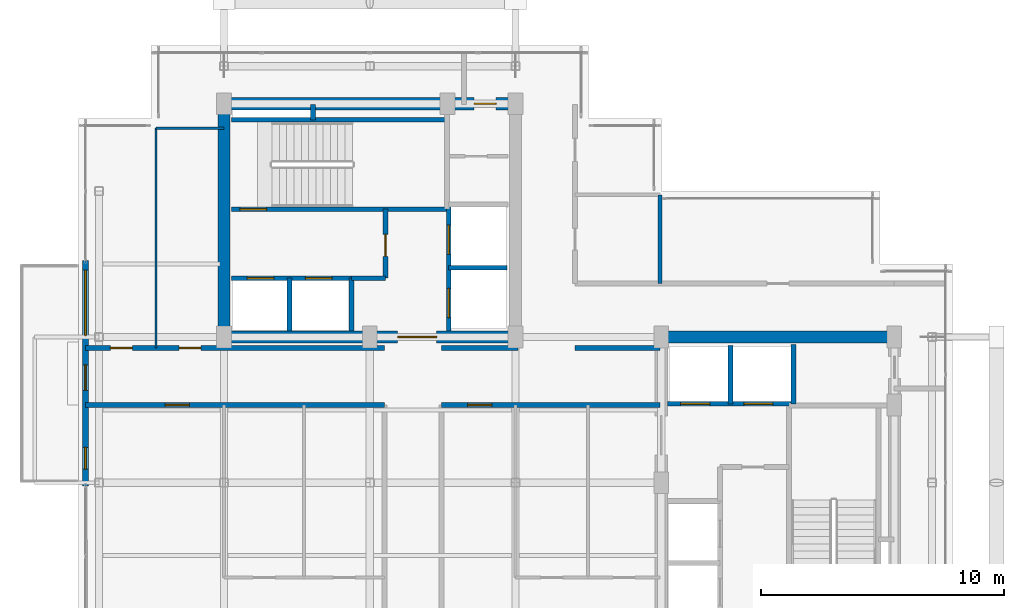
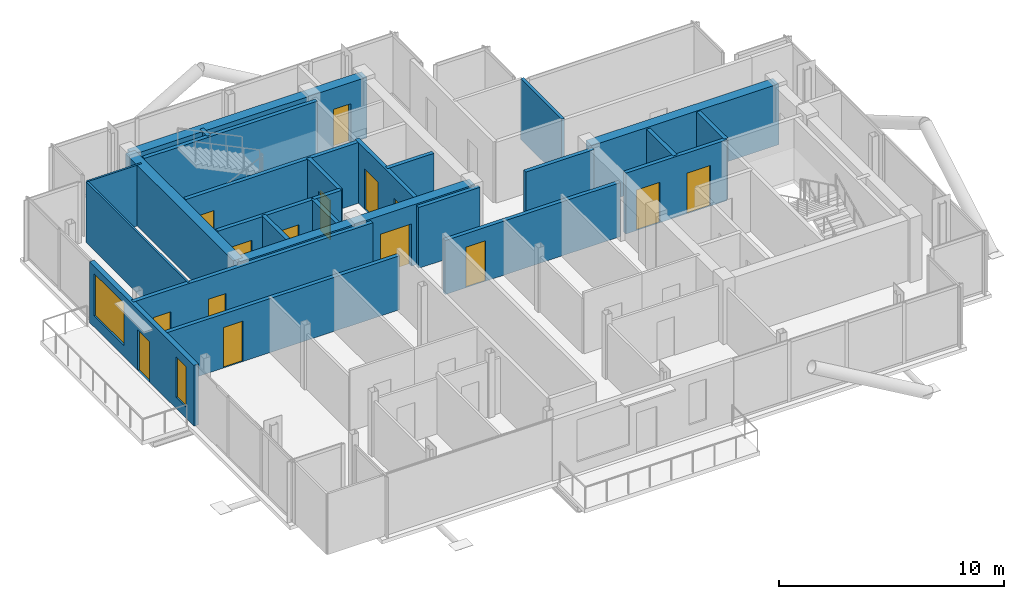
# One storey, part 15 of 18: 26 walls, 15 doors, 2 windows, 17 openings.
"""IFC4 building model written with IfcOpenShell, lengths in metres."""

from ifc_helpers import new_model, si_unit, direction, frame, frame_2d, origin, place, context, subcontext, project, spatial, rectangle, extrude, material, layer, layer_set, type_object, element, fill, save


model = new_model("IFC4")

# Units and contexts
model_context = context("Model", 3, precision=1e-05, world=origin(), true_north=direction((0.0, 1.0)))
body_context = subcontext(model_context, "Body", "Model", "MODEL_VIEW")
ifc_project = project(units=[si_unit("LENGTHUNIT", "METRE"), si_unit("AREAUNIT", "SQUARE_METRE"), si_unit("VOLUMEUNIT", "CUBIC_METRE"), si_unit("PLANEANGLEUNIT", "RADIAN"), si_unit("MASSUNIT", "GRAM", prefix="KILO"), si_unit("THERMODYNAMICTEMPERATUREUNIT", "KELVIN"), si_unit("POWERUNIT", "WATT")], contexts=[model_context])

# Site, building, storey
site_placement = place(None, origin())
site = spatial("IfcSite", under=ifc_project, at=site_placement, CompositionType="ELEMENT")
building_placement = place(site_placement, origin())
building = spatial("IfcBuilding", under=site, at=building_placement, Name="Svarakhadi Broadcast Tower", CompositionType="ELEMENT")
storey_placement = place(building_placement, frame((0.0, 0.0, 250.199951171875)))
storey = spatial("IfcBuildingStorey", under=building, at=storey_placement, Name="L62", CompositionType="ELEMENT", Elevation=250.199951171875)

# Wall, openings, door, windows
ifc_material_1 = material(Name="Concrete C40/50 (IS 456 M50)", Category="concrete")
ifc_layer_1 = layer(ifc_material_1, 0.239990234375)
ifc_layer_set_1 = layer_set([ifc_layer_1], Name="Concrete C40/50 (IS 456 M50)")
wall_type_1 = type_object("IfcWallType", Name="Wall_Ext_240", PredefinedType="SOLIDWALL", material=ifc_layer_set_1)
wall_1_placement = place(storey_placement, frame((0.300048828125, 11.85498046875, 0.0), z_axis=(0.0, 0.0, 1.0), x_axis=(0.0, 1.0, 0.0)))
wall_1 = element("IfcWall", 1, at=wall_1_placement, inside=storey, type_object=wall_type_1, Name="L62 West Tree Balcony Spandrel Wall", PredefinedType="SOLIDWALL", context=body_context, shape_type="SweptSolid", body=[
    extrude(rectangle(XDim=9.2900390625, YDim=0.239990234375, at=frame_2d((4.64501953125, 0.0))), origin(), (0.0, 0.0, 1.0), 3.300048828125),
])
opening_1_placement = place(wall_1_placement, frame((3.945068359375, 0.0, 0.0)))
opening_1 = element("IfcOpeningElement", 2, at=opening_1_placement, cuts=wall_1, Name="Opening ED-05", PredefinedType="OPENING", context=body_context, shape_type="SweptSolid", body=[
    extrude(rectangle(XDim=1.050048828125, YDim=2.199951171875, at=frame_2d((0.52490234375, 1.10009765625))), frame((0.0, 0.1298828125, 0.0), z_axis=(0.0, -1.0, 0.0), x_axis=(1.0, 0.0, 0.0)), (0.0, 0.0, 1.0), 0.260009765625),
])
opening_2_placement = place(wall_1_placement, frame((6.199951171875, 0.0, 0.60009765625)))
opening_2 = element("IfcOpeningElement", 3, at=opening_2_placement, cuts=wall_1, Name="Opening WN-07", PredefinedType="OPENING", context=body_context, shape_type="SweptSolid", body=[
    extrude(rectangle(XDim=2.699951171875, YDim=2.300048828125, at=frame_2d((1.35009765625, 1.14990234375))), frame((0.0, 0.1298828125, 0.0), z_axis=(0.0, -1.0, 0.0), x_axis=(1.0, 0.0, 0.0)), (0.0, 0.0, 1.0), 0.260009765625),
])
opening_3_placement = place(wall_1_placement, frame((0.699951171875, 0.0, 0.60009765625)))
opening_3 = element("IfcOpeningElement", 4, at=opening_3_placement, cuts=wall_1, Name="Opening WN-04", PredefinedType="OPENING", context=body_context, shape_type="SweptSolid", body=[
    extrude(rectangle(XDim=0.89990234375, YDim=2.199951171875, at=frame_2d((0.449951171875, 1.10009765625))), frame((0.0, 0.1298828125, 0.0), z_axis=(0.0, -1.0, 0.0), x_axis=(1.0, 0.0, 0.0)), (0.0, 0.0, 1.0), 0.260009765625),
])
ifc_material_2 = material(Name="Anodised Bronze Aluminium AA 6063-T6", Category="aluminium")
door_type_1 = type_object("IfcDoorType", Name="Door_Ext_ED05", OperationType="SINGLE_SWING_LEFT", PredefinedType="DOOR", material=ifc_material_2)
door_1_placement = place(opening_1_placement, origin())
door_1 = element("IfcDoor", 5, at=door_1_placement, inside=storey, type_object=door_type_1, Name="L62 West Tree Balcony Door", OperationType="SINGLE_SWING_LEFT", OverallHeight=2.199951171875, OverallWidth=1.050048828125, PredefinedType="DOOR", context=body_context, shape_type="SweptSolid", body=[
    extrude(rectangle(XDim=1.050048828125, YDim=2.199951171875, at=frame_2d((0.52490234375, 1.10009765625))), frame((0.0, 0.02490234375, 0.0), z_axis=(0.0, -1.0, 0.0), x_axis=(1.0, 0.0, 0.0)), (0.0, 0.0, 1.0), 0.050048828125),
])
fill(opening_1, door_1)
ifc_material_3 = material(Name="Double Low-E Laminated Acoustic Glass IGU 36 mm", Category="glass")
window_type_1 = type_object("IfcWindowType", Name="Win_Resi_WN07", PartitioningType="SINGLE_PANEL", PredefinedType="WINDOW", material=ifc_material_3)
window_1_placement = place(opening_2_placement, origin())
window_1 = element("IfcWindow", 6, at=window_1_placement, inside=storey, type_object=window_type_1, Name="L62 West Tree Balcony Window", OverallHeight=2.300048828125, OverallWidth=2.699951171875, PartitioningType="SINGLE_PANEL", PredefinedType="WINDOW", context=body_context, shape_type="SweptSolid", body=[
    extrude(rectangle(XDim=2.699951171875, YDim=2.300048828125, at=frame_2d((1.35009765625, 1.14990234375))), frame((0.0, 0.030029296875, 0.0), z_axis=(0.0, -1.0, 0.0), x_axis=(1.0, 0.0, 0.0)), (0.0, 0.0, 1.0), 0.06005859375),
])
fill(opening_2, window_1)
window_type_2 = type_object("IfcWindowType", Name="Win_Slot_WN04", PartitioningType="SINGLE_PANEL", PredefinedType="WINDOW", material=ifc_material_3)
window_2_placement = place(opening_3_placement, origin())
window_2 = element("IfcWindow", 7, at=window_2_placement, inside=storey, type_object=window_type_2, Name="L62 West Secondary Bedroom Slot Window", OverallHeight=2.199951171875, OverallWidth=0.89990234375, PartitioningType="SINGLE_PANEL", PredefinedType="WINDOW", context=body_context, shape_type="SweptSolid", body=[
    extrude(rectangle(XDim=0.89990234375, YDim=2.199951171875, at=frame_2d((0.449951171875, 1.10009765625))), frame((0.0, 0.030029296875, 0.0), z_axis=(0.0, -1.0, 0.0), x_axis=(1.0, 0.0, 0.0)), (0.0, 0.0, 1.0), 0.06005859375),
])
fill(opening_3, window_2)

# Wall
ifc_layer_2 = layer(ifc_material_1, 0.199951171875)
ifc_layer_set_2 = layer_set([ifc_layer_2], Name="Concrete C40/50 (IS 456 M50)")
wall_type_2 = type_object("IfcWallType", Name="Wall_Fire_200", PredefinedType="SOLIDWALL", material=ifc_layer_set_2)
wall_2_placement = place(storey_placement, frame((9.659912109375, 26.93994140625, 0.0), z_axis=(0.0, 0.0, 1.0), x_axis=(0.0, 1.0, 0.0)))
element("IfcWall", 8, at=wall_2_placement, inside=storey, type_object=wall_type_2, Name="L62 Wet Riser Shaft East Wall", PredefinedType="SOLIDWALL", context=body_context, shape_type="SweptSolid", body=[
    extrude(rectangle(XDim=0.64013671875, YDim=0.199951171875, at=frame_2d((0.320068359375, 0.0))), origin(), (0.0, 0.0, 1.0), 3.300048828125),
])

# Wall, opening, door
wall_3_placement = place(storey_placement, frame((12.60009765625, 15.199951171875, 0.0), z_axis=(0.0, 0.0, 1.0), x_axis=(-1.0, 0.0, 0.0)))
wall_3 = element("IfcWall", 9, at=wall_3_placement, inside=storey, type_object=wall_type_2, Name="L62 Upper Tower Concourse Wall", PredefinedType="SOLIDWALL", context=body_context, shape_type="SweptSolid", body=[
    extrude(rectangle(XDim=12.300048828125, YDim=0.199951171875, at=frame_2d((6.14990234375, 0.0))), origin(), (0.0, 0.0, 1.0), 2.93212890625),
])
opening_4_placement = place(wall_3_placement, frame((8.02490234375, 0.0, 0.0)))
opening_4 = element("IfcOpeningElement", 10, at=opening_4_placement, cuts=wall_3, Name="Opening D-09", PredefinedType="OPENING", context=body_context, shape_type="SweptSolid", body=[
    extrude(rectangle(XDim=1.0, YDim=2.199951171875, at=frame_2d((0.5, 1.10009765625))), frame((0.0, 0.10986328125, 0.0), z_axis=(0.0, -1.0, 0.0), x_axis=(1.0, 0.0, 0.0)), (0.0, 0.0, 1.0), 0.219970703125),
])
ifc_material_4 = material(Name="Solid-Core Teak Veneer Acoustic Timber Leaf", Category="wood")
door_type_2 = type_object("IfcDoorType", Name="Door_Suite_D09", OperationType="SINGLE_SWING_RIGHT", PredefinedType="DOOR", material=ifc_material_4)
door_2_placement = place(opening_4_placement, origin())
door_2 = element("IfcDoor", 11, at=door_2_placement, inside=storey, type_object=door_type_2, Name="L62 Apartment A Entrance Door", OperationType="SINGLE_SWING_RIGHT", OverallHeight=2.199951171875, OverallWidth=1.0, PredefinedType="DOOR", context=body_context, shape_type="SweptSolid", body=[
    extrude(rectangle(XDim=1.0, YDim=2.199951171875, at=frame_2d((0.5, 1.10009765625))), frame((0.0, 0.02490234375, 0.0), z_axis=(0.0, -1.0, 0.0), x_axis=(1.0, 0.0, 0.0)), (0.0, 0.0, 1.0), 0.050048828125),
])
fill(opening_4, door_2)

# Wall, openings, doors
wall_4_placement = place(storey_placement, frame((0.300048828125, 17.550048828125, 0.0), z_axis=(0.0, 0.0, 1.0), x_axis=(1.0, 0.0, 0.0)))
wall_4 = element("IfcWall", 12, at=wall_4_placement, inside=storey, type_object=wall_type_2, Name="L62 Upper Tower Concourse Wall", PredefinedType="SOLIDWALL", context=body_context, shape_type="SweptSolid", body=[
    extrude(rectangle(XDim=12.300048828125, YDim=0.199951171875, at=frame_2d((6.14990234375, 0.0))), origin(), (0.0, 0.0, 1.0), 3.300048828125),
])
opening_5_placement = place(wall_4_placement, frame((1.02490234375, 0.0, 0.0)))
opening_5 = element("IfcOpeningElement", 13, at=opening_5_placement, cuts=wall_4, Name="Opening D-15", PredefinedType="OPENING", context=body_context, shape_type="SweptSolid", body=[
    extrude(rectangle(XDim=0.89990234375, YDim=2.10009765625, at=frame_2d((0.449951171875, 1.050048828125))), frame((0.0, 0.10986328125, 0.0), z_axis=(0.0, -1.0, 0.0), x_axis=(1.0, 0.0, 0.0)), (0.0, 0.0, 1.0), 0.219970703125),
])
opening_6_placement = place(wall_4_placement, frame((3.85009765625, 0.0, 0.0)))
opening_6 = element("IfcOpeningElement", 14, at=opening_6_placement, cuts=wall_4, Name="Opening D-14", PredefinedType="OPENING", context=body_context, shape_type="SweptSolid", body=[
    extrude(rectangle(XDim=0.89990234375, YDim=2.10009765625, at=frame_2d((0.449951171875, 1.050048828125))), frame((0.0, 0.10986328125, 0.0), z_axis=(0.0, -1.0, 0.0), x_axis=(1.0, 0.0, 0.0)), (0.0, 0.0, 1.0), 0.219970703125),
])
door_type_3 = type_object("IfcDoorType", Name="Door_Int_D14", OperationType="SINGLE_SWING_LEFT", PredefinedType="DOOR", material=ifc_material_4)
door_3_placement = place(opening_6_placement, origin())
door_3 = element("IfcDoor", 15, at=door_3_placement, inside=storey, type_object=door_type_3, Name="L62 Residents Catering Kitchen Door", OperationType="SINGLE_SWING_LEFT", OverallHeight=2.10009765625, OverallWidth=0.89990234375, PredefinedType="DOOR", context=body_context, shape_type="SweptSolid", body=[
    extrude(rectangle(XDim=0.89990234375, YDim=2.10009765625, at=frame_2d((0.449951171875, 1.050048828125))), frame((0.0, 0.02490234375, 0.0), z_axis=(0.0, -1.0, 0.0), x_axis=(1.0, 0.0, 0.0)), (0.0, 0.0, 1.0), 0.050048828125),
])
fill(opening_6, door_3)
door_type_4 = type_object("IfcDoorType", Name="Door_Int_D15", OperationType="SINGLE_SWING_RIGHT", PredefinedType="DOOR", material=ifc_material_4)
door_4_placement = place(opening_5_placement, origin())
door_4 = element("IfcDoor", 16, at=door_4_placement, inside=storey, type_object=door_type_4, Name="L62 Residents Private Dining Salon Door", OperationType="SINGLE_SWING_RIGHT", OverallHeight=2.10009765625, OverallWidth=0.89990234375, PredefinedType="DOOR", context=body_context, shape_type="SweptSolid", body=[
    extrude(rectangle(XDim=0.89990234375, YDim=2.10009765625, at=frame_2d((0.449951171875, 1.050048828125))), frame((0.0, 0.02490234375, 0.0), z_axis=(0.0, -1.0, 0.0), x_axis=(1.0, 0.0, 0.0)), (0.0, 0.0, 1.0), 0.050048828125),
])
fill(opening_5, door_4)

# Walls
wall_5_placement = place(storey_placement, frame((14.949951171875, 17.550048828125, 0.0), z_axis=(0.0, 0.0, 1.0), x_axis=(1.0, 0.0, 0.0)))
element("IfcWall", 17, at=wall_5_placement, inside=storey, type_object=wall_type_2, Name="L62 Upper Tower Concourse Wall", PredefinedType="SOLIDWALL", context=body_context, shape_type="SweptSolid", body=[
    extrude(rectangle(XDim=3.150146484375, YDim=0.199951171875, at=frame_2d((1.5751953125, 0.0))), origin(), (0.0, 0.0, 1.0), 3.300048828125),
])
wall_6_placement = place(storey_placement, frame((20.449951171875, 17.550048828125, 0.0), z_axis=(0.0, 0.0, 1.0), x_axis=(1.0, 0.0, 0.0)))
element("IfcWall", 18, at=wall_6_placement, inside=storey, type_object=wall_type_2, Name="L62 Upper Tower Concourse Wall", PredefinedType="SOLIDWALL", context=body_context, shape_type="SweptSolid", body=[
    extrude(rectangle(XDim=3.5, YDim=0.199951171875, at=frame_2d((1.75, 0.0))), origin(), (0.0, 0.0, 1.0), 3.300048828125),
])

# Wall, opening, door
wall_7_placement = place(storey_placement, frame((23.949951171875, 15.199951171875, 0.0), z_axis=(0.0, 0.0, 1.0), x_axis=(-1.0, 0.0, 0.0)))
wall_7 = element("IfcWall", 19, at=wall_7_placement, inside=storey, type_object=wall_type_2, Name="L62 Upper Tower Concourse Wall", PredefinedType="SOLIDWALL", context=body_context, shape_type="SweptSolid", body=[
    extrude(rectangle(XDim=9.0, YDim=0.199951171875, at=frame_2d((4.5, 0.0))), origin(), (0.0, 0.0, 1.0), 2.93212890625),
])
opening_7_placement = place(wall_7_placement, frame((6.925048828125, 0.0, 0.0)))
opening_7 = element("IfcOpeningElement", 20, at=opening_7_placement, cuts=wall_7, Name="Opening D-09", PredefinedType="OPENING", context=body_context, shape_type="SweptSolid", body=[
    extrude(rectangle(XDim=1.0, YDim=2.199951171875, at=frame_2d((0.5, 1.10009765625))), frame((0.0, 0.10986328125, 0.0), z_axis=(0.0, -1.0, 0.0), x_axis=(1.0, 0.0, 0.0)), (0.0, 0.0, 1.0), 0.219970703125),
])
door_5_placement = place(opening_7_placement, origin())
door_5 = element("IfcDoor", 21, at=door_5_placement, inside=storey, type_object=door_type_2, Name="L62 Apartment B Entrance Door", OperationType="SINGLE_SWING_RIGHT", OverallHeight=2.199951171875, OverallWidth=1.0, PredefinedType="DOOR", context=body_context, shape_type="SweptSolid", body=[
    extrude(rectangle(XDim=1.0, YDim=2.199951171875, at=frame_2d((0.5, 1.10009765625))), frame((0.0, 0.02490234375, 0.0), z_axis=(0.0, -1.0, 0.0), x_axis=(1.0, 0.0, 0.0)), (0.0, 0.0, 1.0), 0.050048828125),
])
fill(opening_7, door_5)

# Walls
ifc_material_5 = material(Name="Fire-Rated Moisture-Resistant Gypsum Board Partition", Category="gypsum")
ifc_layer_3 = layer(ifc_material_5, 0.10009765625)
ifc_layer_set_3 = layer_set([ifc_layer_3], Name="Fire-Rated Moisture-Resistant Gypsum Board Partition")
wall_type_3 = type_object("IfcWallType", Name="Wall_Part_100", PredefinedType="PARTITIONING", material=ifc_layer_set_3)
wall_8_placement = place(storey_placement, frame((3.199951171875, 17.550048828125, 0.0), z_axis=(0.0, 0.0, 1.0), x_axis=(0.0, 1.0, 0.0)))
element("IfcWall", 22, at=wall_8_placement, inside=storey, type_object=wall_type_3, Name="L62 Residents Private Dining Salon Wall", PredefinedType="PARTITIONING", context=body_context, shape_type="SweptSolid", body=[
    extrude(rectangle(XDim=9.050048828125, YDim=0.10009765625, at=frame_2d((4.52490234375, 0.0))), origin(), (0.0, 0.0, 1.0), 3.300048828125),
])
wall_9_placement = place(storey_placement, frame((3.199951171875, 26.60009765625, 0.0), z_axis=(0.0, 0.0, 1.0), x_axis=(1.0, 0.0, 0.0)))
element("IfcWall", 23, at=wall_9_placement, inside=storey, type_object=wall_type_3, Name="L62 Residents Catering Kitchen Wall", PredefinedType="PARTITIONING", context=body_context, shape_type="SweptSolid", body=[
    extrude(rectangle(XDim=2.800048828125, YDim=0.10009765625, at=frame_2d((1.39990234375, 0.0))), origin(), (0.0, 0.0, 1.0), 3.300048828125),
])
ifc_material_6 = material(Name="Autoclaved Aerated Concrete Blockwork 150 mm", Category="masonry")
ifc_layer_4 = layer(ifc_material_6, 0.14990234375)
ifc_layer_set_4 = layer_set([ifc_layer_4], Name="Autoclaved Aerated Concrete Blockwork 150 mm")
wall_type_4 = type_object("IfcWallType", Name="Wall_Part_150", PredefinedType="PARTITIONING", material=ifc_layer_set_4)
wall_10_placement = place(storey_placement, frame((23.949951171875, 20.199951171875, 0.0), z_axis=(0.0, 0.0, 1.0), x_axis=(0.0, 1.0, 0.0)))
element("IfcWall", 24, at=wall_10_placement, inside=storey, type_object=wall_type_4, Name="L62 Accessible Visitor Washroom WC Wall", PredefinedType="PARTITIONING", context=body_context, shape_type="SweptSolid", body=[
    extrude(rectangle(XDim=3.650146484375, YDim=0.14990234375, at=frame_2d((1.8251953125, 0.0))), origin(), (0.0, 0.0, 1.0), 3.300048828125),
])

# Wall, opening, door
ifc_material_7 = material(Name="Concrete C50/60 (IS 456 M60)", Category="concrete")
ifc_layer_5 = layer(ifc_material_7, 0.199951171875)
ifc_layer_set_5 = layer_set([ifc_layer_5], Name="Concrete C50/60 (IS 456 M60)")
wall_type_5 = type_object("IfcWallType", Name="Wall_Shear_200", PredefinedType="SHEAR", material=ifc_layer_set_5)
wall_11_placement = place(storey_placement, frame((6.300048828125, 23.260009765625, 0.0), z_axis=(0.0, 0.0, 1.0), x_axis=(1.0, 0.0, 0.0)))
wall_11 = element("IfcWall", 25, at=wall_11_placement, inside=storey, type_object=wall_type_5, Name="L62 Stair ST-01 South RC Shaft Wall", PredefinedType="SHEAR", context=body_context, shape_type="SweptSolid", body=[
    extrude(rectangle(XDim=8.8798828125, YDim=0.199951171875, at=frame_2d((4.43994140625, 0.0))), origin(), (0.0, 0.0, 1.0), 3.300048828125),
])
opening_8_placement = place(wall_11_placement, frame((0.35009765625, 0.0, 0.0)))
opening_8 = element("IfcOpeningElement", 26, at=opening_8_placement, cuts=wall_11, Name="Opening D-01", PredefinedType="OPENING", context=body_context, shape_type="SweptSolid", body=[
    extrude(rectangle(XDim=1.10009765625, YDim=2.199951171875, at=frame_2d((0.550048828125, 1.10009765625))), frame((0.0, 0.10986328125, 0.0), z_axis=(0.0, -1.0, 0.0), x_axis=(1.0, 0.0, 0.0)), (0.0, 0.0, 1.0), 0.219970703125),
])
ifc_material_8 = material(Name="Galvanised Powder-Coated Fire-Rated Steel Leaf", Category="steel")
door_type_5 = type_object("IfcDoorType", Name="Door_Stair_D01", OperationType="SINGLE_SWING_LEFT", PredefinedType="DOOR", material=ifc_material_8)
door_6_placement = place(opening_8_placement, origin())
door_6 = element("IfcDoor", 27, at=door_6_placement, inside=storey, type_object=door_type_5, Name="L62 Protected Exit Stair ST-01 Fire Door", OperationType="SINGLE_SWING_LEFT", OverallHeight=2.199951171875, OverallWidth=1.10009765625, PredefinedType="DOOR", context=body_context, shape_type="SweptSolid", body=[
    extrude(rectangle(XDim=1.10009765625, YDim=2.199951171875, at=frame_2d((0.550048828125, 1.10009765625))), frame((0.0, 0.02490234375, 0.0), z_axis=(0.0, -1.0, 0.0), x_axis=(1.0, 0.0, 0.0)), (0.0, 0.0, 1.0), 0.050048828125),
])
fill(opening_8, door_6)

# Wall
wall_12_placement = place(storey_placement, frame((6.300048828125, 26.93994140625, 0.0), z_axis=(0.0, 0.0, 1.0), x_axis=(1.0, 0.0, 0.0)))
element("IfcWall", 28, at=wall_12_placement, inside=storey, type_object=wall_type_5, Name="L62 Stair ST-01 North RC Shaft Wall", PredefinedType="SHEAR", context=body_context, shape_type="SweptSolid", body=[
    extrude(rectangle(XDim=8.8798828125, YDim=0.199951171875, at=frame_2d((4.43994140625, 0.0))), origin(), (0.0, 0.0, 1.0), 3.300048828125),
])

# Wall, openings, doors
wall_13_placement = place(storey_placement, frame((6.300048828125, 20.419921875, 0.0), z_axis=(0.0, 0.0, 1.0), x_axis=(1.0, 0.0, 0.0)))
wall_13 = element("IfcWall", 29, at=wall_13_placement, inside=storey, type_object=wall_type_5, Name="L62 Firefighting Lift LF-01/02 Shaft Wall", PredefinedType="SHEAR", context=body_context, shape_type="SweptSolid", body=[
    extrude(rectangle(XDim=4.949951171875, YDim=0.199951171875, at=frame_2d((2.47509765625, 0.0))), origin(), (0.0, 0.0, 1.0), 3.300048828125),
])
opening_9_placement = place(wall_13_placement, frame((0.64990234375, 0.0, 0.0)))
opening_9 = element("IfcOpeningElement", 30, at=opening_9_placement, cuts=wall_13, Name="Opening LD-01", PredefinedType="OPENING", context=body_context, shape_type="SweptSolid", body=[
    extrude(rectangle(XDim=1.10009765625, YDim=2.199951171875, at=frame_2d((0.550048828125, 1.10009765625))), frame((0.0, 0.10986328125, 0.0), z_axis=(0.0, -1.0, 0.0), x_axis=(1.0, 0.0, 0.0)), (0.0, 0.0, 1.0), 0.219970703125),
])
opening_10_placement = place(wall_13_placement, frame((3.050048828125, 0.0, 0.0)))
opening_10 = element("IfcOpeningElement", 31, at=opening_10_placement, cuts=wall_13, Name="Opening LD-01", PredefinedType="OPENING", context=body_context, shape_type="SweptSolid", body=[
    extrude(rectangle(XDim=1.10009765625, YDim=2.199951171875, at=frame_2d((0.550048828125, 1.10009765625))), frame((0.0, 0.10986328125, 0.0), z_axis=(0.0, -1.0, 0.0), x_axis=(1.0, 0.0, 0.0)), (0.0, 0.0, 1.0), 0.219970703125),
])
door_type_6 = type_object("IfcDoorType", Name="Door_Lift_LD01", OperationType="SLIDING_TO_LEFT", PredefinedType="DOOR", material=ifc_material_8)
door_7_placement = place(opening_9_placement, origin())
door_7 = element("IfcDoor", 32, at=door_7_placement, inside=storey, type_object=door_type_6, Name="L62 Firefighting Lift LF-01 Landing Door", OperationType="SLIDING_TO_LEFT", OverallHeight=2.199951171875, OverallWidth=1.10009765625, PredefinedType="DOOR", context=body_context, shape_type="SweptSolid", body=[
    extrude(rectangle(XDim=1.10009765625, YDim=2.199951171875, at=frame_2d((0.550048828125, 1.10009765625))), frame((0.0, 0.02490234375, 0.0), z_axis=(0.0, -1.0, 0.0), x_axis=(1.0, 0.0, 0.0)), (0.0, 0.0, 1.0), 0.050048828125),
])
fill(opening_9, door_7)
door_8_placement = place(opening_10_placement, origin())
door_8 = element("IfcDoor", 33, at=door_8_placement, inside=storey, type_object=door_type_6, Name="L62 Firefighting Lift LF-02 Landing Door", OperationType="SLIDING_TO_LEFT", OverallHeight=2.199951171875, OverallWidth=1.10009765625, PredefinedType="DOOR", context=body_context, shape_type="SweptSolid", body=[
    extrude(rectangle(XDim=1.10009765625, YDim=2.199951171875, at=frame_2d((0.550048828125, 1.10009765625))), frame((0.0, 0.02490234375, 0.0), z_axis=(0.0, -1.0, 0.0), x_axis=(1.0, 0.0, 0.0)), (0.0, 0.0, 1.0), 0.050048828125),
])
fill(opening_10, door_8)

# Walls
for number, where, z_axis, x_axis, name in (
    (34, (8.699951171875, 18.25, 0.0), (0.0, 0.0, 1.0), (0.0, 1.0, 0.0), "L62 Firefighting Lift LF-01/02 Divider Wall"),
    (35, (11.25, 18.25, 0.0), (0.0, 0.0, 1.0), (0.0, 1.0, 0.0), "L62 Firefighting Lift LF-02 East Wall"),
):
    element("IfcWall", number, at=place(storey_placement, frame(where, z_axis=z_axis, x_axis=x_axis)), inside=storey, type_object=wall_type_5, Name=name, PredefinedType="SHEAR", context=body_context, shape_type="SweptSolid", body=[
        extrude(rectangle(XDim=2.169921875, YDim=0.199951171875, at=frame_2d((1.0849609375, 0.0))), origin(), (0.0, 0.0, 1.0), 3.300048828125),
    ])
wall_14_placement = place(storey_placement, frame((11.25, 20.419921875, 0.0), z_axis=(0.0, 0.0, 1.0), x_axis=(1.0, 0.0, 0.0)))
element("IfcWall", 36, at=wall_14_placement, inside=storey, type_object=wall_type_5, Name="L62 West Firefighting Lobby South Wall", PredefinedType="SHEAR", context=body_context, shape_type="SweptSolid", body=[
    extrude(rectangle(XDim=1.39990234375, YDim=0.199951171875, at=frame_2d((0.699951171875, 0.0))), origin(), (0.0, 0.0, 1.0), 3.300048828125),
])

# Wall, opening, door
wall_15_placement = place(storey_placement, frame((12.64990234375, 20.419921875, 0.0), z_axis=(0.0, 0.0, 1.0), x_axis=(0.0, 1.0, 0.0)))
wall_15 = element("IfcWall", 37, at=wall_15_placement, inside=storey, type_object=wall_type_5, Name="L62 West Firefighting Lobby East Wall", PredefinedType="SHEAR", context=body_context, shape_type="SweptSolid", body=[
    extrude(rectangle(XDim=2.840087890625, YDim=0.199951171875, at=frame_2d((1.419921875, 0.0))), origin(), (0.0, 0.0, 1.0), 3.300048828125),
])
opening_11_placement = place(wall_15_placement, frame((0.89990234375, 0.0, 0.0)))
opening_11 = element("IfcOpeningElement", 38, at=opening_11_placement, cuts=wall_15, Name="Opening D-03", PredefinedType="OPENING", context=body_context, shape_type="SweptSolid", body=[
    extrude(rectangle(XDim=0.89990234375, YDim=2.14990234375, at=frame_2d((0.449951171875, 1.074951171875))), frame((0.0, 0.10986328125, 0.0), z_axis=(0.0, -1.0, 0.0), x_axis=(1.0, 0.0, 0.0)), (0.0, 0.0, 1.0), 0.219970703125),
])
door_type_7 = type_object("IfcDoorType", Name="Door_Fire_D03", OperationType="SINGLE_SWING_LEFT", PredefinedType="DOOR", material=ifc_material_8)
door_9_placement = place(opening_11_placement, origin())
door_9 = element("IfcDoor", 39, at=door_9_placement, inside=storey, type_object=door_type_7, Name="L62 West Firefighting Lobby Fire Door", OperationType="SINGLE_SWING_LEFT", OverallHeight=2.14990234375, OverallWidth=0.89990234375, PredefinedType="DOOR", context=body_context, shape_type="SweptSolid", body=[
    extrude(rectangle(XDim=0.89990234375, YDim=2.14990234375, at=frame_2d((0.449951171875, 1.074951171875))), frame((0.0, 0.02490234375, 0.0), z_axis=(0.0, -1.0, 0.0), x_axis=(1.0, 0.0, 0.0)), (0.0, 0.0, 1.0), 0.050048828125),
])
fill(opening_11, door_9)

# Wall, openings, doors
wall_16_placement = place(storey_placement, frame((15.25, 18.25, 0.0), z_axis=(0.0, 0.0, 1.0), x_axis=(0.0, 1.0, 0.0)))
wall_16 = element("IfcWall", 40, at=wall_16_placement, inside=storey, type_object=wall_type_5, Name="L62 High-Rise Lift LF-13/14 West Shaft Wall", PredefinedType="SHEAR", context=body_context, shape_type="SweptSolid", body=[
    extrude(rectangle(XDim=5.199951171875, YDim=0.199951171875, at=frame_2d((2.60009765625, 0.0))), origin(), (0.0, 0.0, 1.0), 3.300048828125),
])
opening_12_placement = place(wall_16_placement, frame((0.550048828125, 0.0, 0.0)))
opening_12 = element("IfcOpeningElement", 41, at=opening_12_placement, cuts=wall_16, Name="Opening LD-02", PredefinedType="OPENING", context=body_context, shape_type="SweptSolid", body=[
    extrude(rectangle(XDim=1.199951171875, YDim=2.199951171875, at=frame_2d((0.60009765625, 1.10009765625))), frame((0.0, 0.10986328125, 0.0), z_axis=(0.0, -1.0, 0.0), x_axis=(1.0, 0.0, 0.0)), (0.0, 0.0, 1.0), 0.219970703125),
])
opening_13_placement = place(wall_16_placement, frame((3.14990234375, 0.0, 0.0)))
opening_13 = element("IfcOpeningElement", 42, at=opening_13_placement, cuts=wall_16, Name="Opening LD-02", PredefinedType="OPENING", context=body_context, shape_type="SweptSolid", body=[
    extrude(rectangle(XDim=1.199951171875, YDim=2.199951171875, at=frame_2d((0.60009765625, 1.10009765625))), frame((0.0, 0.10986328125, 0.0), z_axis=(0.0, -1.0, 0.0), x_axis=(1.0, 0.0, 0.0)), (0.0, 0.0, 1.0), 0.219970703125),
])
door_type_8 = type_object("IfcDoorType", Name="Door_Lift_LD02", OperationType="SLIDING_TO_RIGHT", PredefinedType="DOOR", material=ifc_material_8)
door_10_placement = place(opening_12_placement, origin())
door_10 = element("IfcDoor", 43, at=door_10_placement, inside=storey, type_object=door_type_8, Name="L62 High-Rise Lift LF-13 Landing Door", OperationType="SLIDING_TO_RIGHT", OverallHeight=2.199951171875, OverallWidth=1.199951171875, PredefinedType="DOOR", context=body_context, shape_type="SweptSolid", body=[
    extrude(rectangle(XDim=1.199951171875, YDim=2.199951171875, at=frame_2d((0.60009765625, 1.10009765625))), frame((0.0, 0.02490234375, 0.0), z_axis=(0.0, -1.0, 0.0), x_axis=(1.0, 0.0, 0.0)), (0.0, 0.0, 1.0), 0.050048828125),
])
fill(opening_12, door_10)
door_11_placement = place(opening_13_placement, origin())
door_11 = element("IfcDoor", 44, at=door_11_placement, inside=storey, type_object=door_type_8, Name="L62 High-Rise Lift LF-14 Landing Door", OperationType="SLIDING_TO_RIGHT", OverallHeight=2.199951171875, OverallWidth=1.199951171875, PredefinedType="DOOR", context=body_context, shape_type="SweptSolid", body=[
    extrude(rectangle(XDim=1.199951171875, YDim=2.199951171875, at=frame_2d((0.60009765625, 1.10009765625))), frame((0.0, 0.02490234375, 0.0), z_axis=(0.0, -1.0, 0.0), x_axis=(1.0, 0.0, 0.0)), (0.0, 0.0, 1.0), 0.050048828125),
])
fill(opening_13, door_11)

# Wall
wall_17_placement = place(storey_placement, frame((15.25, 20.85009765625, 0.0), z_axis=(0.0, 0.0, 1.0), x_axis=(1.0, 0.0, 0.0)))
element("IfcWall", 45, at=wall_17_placement, inside=storey, type_object=wall_type_5, Name="L62 High-Rise Lift LF-13/14 Divider", PredefinedType="SHEAR", context=body_context, shape_type="SweptSolid", body=[
    extrude(rectangle(XDim=2.39990234375, YDim=0.199951171875, at=frame_2d((1.199951171875, 0.0))), origin(), (0.0, 0.0, 1.0), 3.300048828125),
])

# Wall, openings, doors
wall_18_placement = place(storey_placement, frame((24.25, 15.25, 0.0), z_axis=(0.0, 0.0, 1.0), x_axis=(1.0, 0.0, 0.0)))
wall_18 = element("IfcWall", 46, at=wall_18_placement, inside=storey, type_object=wall_type_5, Name="L62 High-Rise Lift LF-15/16 South Shaft Wall", PredefinedType="SHEAR", context=body_context, shape_type="SweptSolid", body=[
    extrude(rectangle(XDim=5.199951171875, YDim=0.199951171875, at=frame_2d((2.60009765625, 0.0))), origin(), (0.0, 0.0, 1.0), 3.300048828125),
])
opening_14_placement = place(wall_18_placement, frame((0.550048828125, 0.0, 0.0)))
opening_14 = element("IfcOpeningElement", 47, at=opening_14_placement, cuts=wall_18, Name="Opening LD-02", PredefinedType="OPENING", context=body_context, shape_type="SweptSolid", body=[
    extrude(rectangle(XDim=1.199951171875, YDim=2.199951171875, at=frame_2d((0.60009765625, 1.10009765625))), frame((0.0, 0.10986328125, 0.0), z_axis=(0.0, -1.0, 0.0), x_axis=(1.0, 0.0, 0.0)), (0.0, 0.0, 1.0), 0.219970703125),
])
opening_15_placement = place(wall_18_placement, frame((3.14990234375, 0.0, 0.0)))
opening_15 = element("IfcOpeningElement", 48, at=opening_15_placement, cuts=wall_18, Name="Opening LD-02", PredefinedType="OPENING", context=body_context, shape_type="SweptSolid", body=[
    extrude(rectangle(XDim=1.199951171875, YDim=2.199951171875, at=frame_2d((0.60009765625, 1.10009765625))), frame((0.0, 0.10986328125, 0.0), z_axis=(0.0, -1.0, 0.0), x_axis=(1.0, 0.0, 0.0)), (0.0, 0.0, 1.0), 0.219970703125),
])
door_12_placement = place(opening_14_placement, origin())
door_12 = element("IfcDoor", 49, at=door_12_placement, inside=storey, type_object=door_type_8, Name="L62 High-Rise Lift LF-15 Landing Door", OperationType="SLIDING_TO_RIGHT", OverallHeight=2.199951171875, OverallWidth=1.199951171875, PredefinedType="DOOR", context=body_context, shape_type="SweptSolid", body=[
    extrude(rectangle(XDim=1.199951171875, YDim=2.199951171875, at=frame_2d((0.60009765625, 1.10009765625))), frame((0.0, 0.02490234375, 0.0), z_axis=(0.0, -1.0, 0.0), x_axis=(1.0, 0.0, 0.0)), (0.0, 0.0, 1.0), 0.050048828125),
])
fill(opening_14, door_12)
door_13_placement = place(opening_15_placement, origin())
door_13 = element("IfcDoor", 50, at=door_13_placement, inside=storey, type_object=door_type_8, Name="L62 High-Rise Lift LF-16 Landing Door", OperationType="SLIDING_TO_RIGHT", OverallHeight=2.199951171875, OverallWidth=1.199951171875, PredefinedType="DOOR", context=body_context, shape_type="SweptSolid", body=[
    extrude(rectangle(XDim=1.199951171875, YDim=2.199951171875, at=frame_2d((0.60009765625, 1.10009765625))), frame((0.0, 0.02490234375, 0.0), z_axis=(0.0, -1.0, 0.0), x_axis=(1.0, 0.0, 0.0)), (0.0, 0.0, 1.0), 0.050048828125),
])
fill(opening_15, door_13)

# Walls
wall_19_placement = place(storey_placement, frame((26.85009765625, 15.25, 0.0), z_axis=(0.0, 0.0, 1.0), x_axis=(0.0, 1.0, 0.0)))
element("IfcWall", 51, at=wall_19_placement, inside=storey, type_object=wall_type_5, Name="L62 High-Rise Lift LF-15/16 Divider", PredefinedType="SHEAR", context=body_context, shape_type="SweptSolid", body=[
    extrude(rectangle(XDim=2.39990234375, YDim=0.199951171875, at=frame_2d((1.199951171875, 0.0))), origin(), (0.0, 0.0, 1.0), 3.300048828125),
])
wall_20_placement = place(storey_placement, frame((29.449951171875, 15.25, 0.0), z_axis=(0.0, 0.0, 1.0), x_axis=(0.0, 1.0, 0.0)))
element("IfcWall", 52, at=wall_20_placement, inside=storey, type_object=wall_type_5, Name="L62 High-Rise Lift LF-15/16 East Wall", PredefinedType="SHEAR", context=body_context, shape_type="SweptSolid", body=[
    extrude(rectangle(XDim=2.449951171875, YDim=0.199951171875, at=frame_2d((1.22509765625, 0.0))), origin(), (0.0, 0.0, 1.0), 3.300048828125),
])

# Wall, opening, door
ifc_layer_6 = layer(ifc_material_7, 0.5)
ifc_layer_set_6 = layer_set([ifc_layer_6], Name="Concrete C50/60 (IS 456 M60)")
wall_type_6 = type_object("IfcWallType", Name="Wall_Shear_500", PredefinedType="SHEAR", material=ifc_layer_set_6)
wall_21_placement = place(storey_placement, frame((6.0, 18.0, 0.0), z_axis=(0.0, 0.0, 1.0), x_axis=(1.0, 0.0, 0.0)))
wall_21 = element("IfcWall", 53, at=wall_21_placement, inside=storey, type_object=wall_type_6, Name="L62 West Core South Shear Wall", PredefinedType="SHEAR", context=body_context, shape_type="SweptSolid", body=[
    extrude(rectangle(XDim=12.0, YDim=0.5, at=frame_2d((6.0, 0.0))), origin(), (0.0, 0.0, 1.0), 3.300048828125),
])
opening_16_placement = place(wall_21_placement, frame((7.14990234375, 0.0, 0.0)))
opening_16 = element("IfcOpeningElement", 54, at=opening_16_placement, cuts=wall_21, Name="Opening D-05", PredefinedType="OPENING", context=body_context, shape_type="SweptSolid", body=[
    extrude(rectangle(XDim=1.60009765625, YDim=2.300048828125, at=frame_2d((0.800048828125, 1.14990234375))), frame((0.0, 0.260009765625, 0.0), z_axis=(0.0, -1.0, 0.0), x_axis=(1.0, 0.0, 0.0)), (0.0, 0.0, 1.0), 0.52001953125),
])
door_type_9 = type_object("IfcDoorType", Name="Door_Lobby_D05", OperationType="DOUBLE_DOOR_SLIDING", PredefinedType="DOOR", material=ifc_material_2)
door_14_placement = place(opening_16_placement, origin())
door_14 = element("IfcDoor", 55, at=door_14_placement, inside=storey, type_object=door_type_9, Name="L62 West Core Passenger Lift Lobby Entrance Door", OperationType="DOUBLE_DOOR_SLIDING", OverallHeight=2.300048828125, OverallWidth=1.60009765625, PredefinedType="DOOR", context=body_context, shape_type="SweptSolid", body=[
    extrude(rectangle(XDim=1.60009765625, YDim=2.300048828125, at=frame_2d((0.800048828125, 1.14990234375))), frame((0.0, 0.02490234375, 0.0), z_axis=(0.0, -1.0, 0.0), x_axis=(1.0, 0.0, 0.0)), (0.0, 0.0, 1.0), 0.050048828125),
])
fill(opening_16, door_14)

wall_22_placement = place(storey_placement, frame((6.0, 27.60009765625, 0.0), z_axis=(0.0, 0.0, 1.0), x_axis=(1.0, 0.0, 0.0)))
wall_22 = element("IfcWall", 56, at=wall_22_placement, inside=storey, type_object=wall_type_6, Name="L62 West Core North Shear Wall", PredefinedType="SHEAR", context=body_context, shape_type="SweptSolid", body=[
    extrude(rectangle(XDim=12.0, YDim=0.5, at=frame_2d((6.0, 0.0))), origin(), (0.0, 0.0, 1.0), 3.300048828125),
])
opening_17_placement = place(wall_22_placement, frame((10.300048828125, 0.0, 0.0)))
opening_17 = element("IfcOpeningElement", 57, at=opening_17_placement, cuts=wall_22, Name="Opening D-03", PredefinedType="OPENING", context=body_context, shape_type="SweptSolid", body=[
    extrude(rectangle(XDim=0.89990234375, YDim=2.14990234375, at=frame_2d((0.449951171875, 1.074951171875))), frame((0.0, 0.260009765625, 0.0), z_axis=(0.0, -1.0, 0.0), x_axis=(1.0, 0.0, 0.0)), (0.0, 0.0, 1.0), 0.52001953125),
])
door_15_placement = place(opening_17_placement, origin())
door_15 = element("IfcDoor", 58, at=door_15_placement, inside=storey, type_object=door_type_7, Name="L62 West Core Outer Store Door", OperationType="SINGLE_SWING_LEFT", OverallHeight=2.14990234375, OverallWidth=0.89990234375, PredefinedType="DOOR", context=body_context, shape_type="SweptSolid", body=[
    extrude(rectangle(XDim=0.89990234375, YDim=2.14990234375, at=frame_2d((0.449951171875, 1.074951171875))), frame((0.0, 0.02490234375, 0.0), z_axis=(0.0, -1.0, 0.0), x_axis=(1.0, 0.0, 0.0)), (0.0, 0.0, 1.0), 0.050048828125),
])
fill(opening_17, door_15)

# Walls
for number, where, z_axis, x_axis, name in (
    (59, (6.0, 18.0, 0.0), (0.0, 0.0, 1.0), (0.0, 1.0, 0.0), "L62 West Core West Shear Wall"),
    (60, (24.0, 18.0, 0.0), (0.0, 0.0, 1.0), (1.0, 0.0, 0.0), "L62 East Core North Shear Wall"),
):
    element("IfcWall", number, at=place(storey_placement, frame(where, z_axis=z_axis, x_axis=x_axis)), inside=storey, type_object=wall_type_6, Name=name, PredefinedType="SHEAR", context=body_context, shape_type="SweptSolid", body=[
        extrude(rectangle(XDim=9.60009765625, YDim=0.5, at=frame_2d((4.800048828125, 0.0))), origin(), (0.0, 0.0, 1.0), 3.300048828125),
    ])

save(model, "model.ifc")
